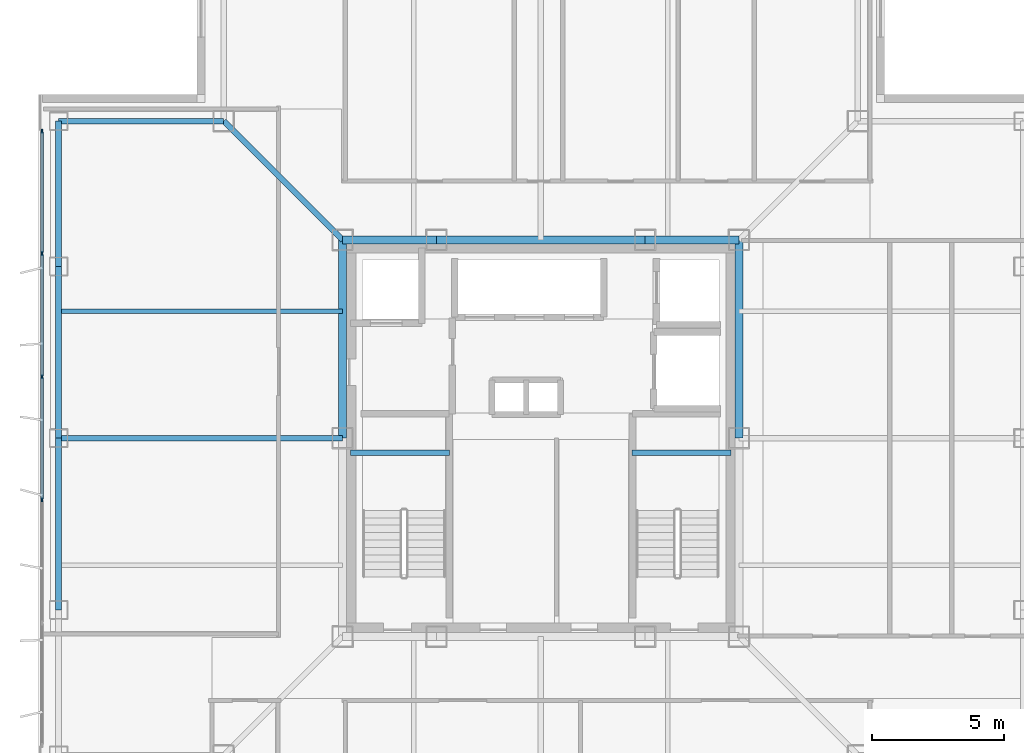
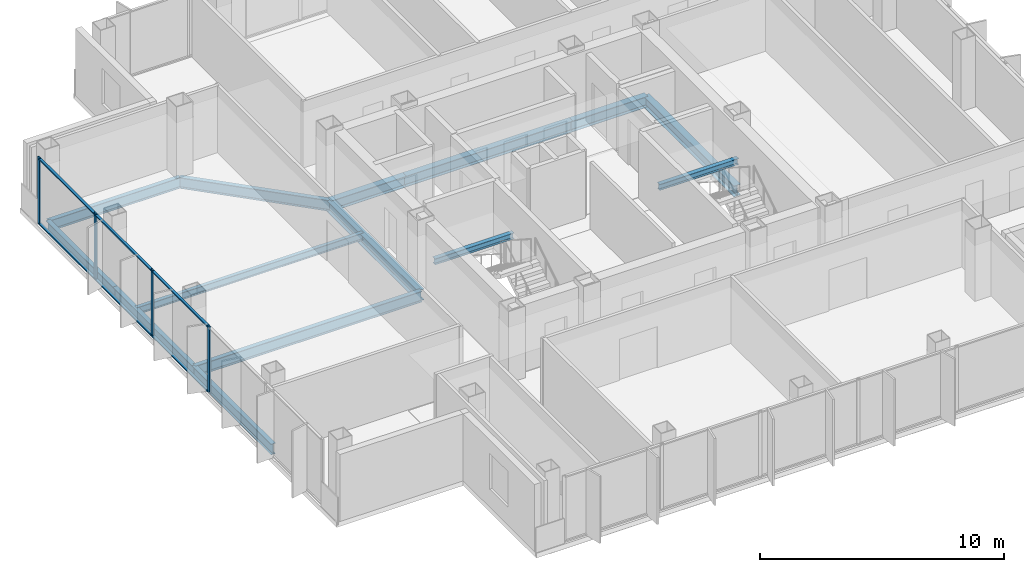
# One storey, part 4 of 15: 14 beams, 10 members, 1 element without a shape of its own.
"""IFC4 building model written with IfcOpenShell, lengths in metres."""

from ifc_helpers import new_model, si_unit, direction, frame, origin, origin_2d, place, context, subcontext, project, spatial, rectangle, i_section, extrude, material, layer, layer_set, material_profile, profile_set, type_object, element, aggregate, save


model = new_model("IFC4")

# Units and contexts
model_context = context("Model", 3, precision=1e-05, world=origin(), true_north=direction((0.0, 1.0)))
body_context = subcontext(model_context, "Body", "Model", "MODEL_VIEW")
ifc_project = project(units=[si_unit("LENGTHUNIT", "METRE"), si_unit("AREAUNIT", "SQUARE_METRE"), si_unit("VOLUMEUNIT", "CUBIC_METRE"), si_unit("PLANEANGLEUNIT", "RADIAN"), si_unit("MASSUNIT", "GRAM", prefix="KILO")], contexts=[model_context])

# Site, building, storey
site_placement = place(None, origin())
site = spatial("IfcSite", under=ifc_project, at=site_placement, CompositionType="ELEMENT")
building_placement = place(site_placement, origin())
building = spatial("IfcBuilding", under=site, at=building_placement, Name="Trevonay Congress Spire", CompositionType="ELEMENT")
storey_placement = place(building_placement, frame((0.0, 0.0, 272.0)))
storey = spatial("IfcBuildingStorey", under=building, at=storey_placement, Name="L71", CompositionType="ELEMENT", Elevation=272.0)

# Beams
ifc_material_1 = material(Name="Steel ASTM A572 Grade 50", Category="steel")
ifc_material_profile_1 = material_profile(ifc_material_1, i_section(OverallWidth=0.2119140625, OverallDepth=0.5439453125, WebThickness=0.01318359375, FlangeThickness=0.021240234375, FilletRadius=0.014892578125, at=origin_2d()), Name="W530x123")
ifc_profile_set_1 = profile_set([ifc_material_profile_1], Name="Steel ASTM A572 Grade 50")
beam_type_1 = type_object("IfcBeamType", Name="BM-GIRD-W530X123", PredefinedType="BEAM", material=ifc_profile_set_1)
beam_1_placement = place(storey_placement, frame((-7.5, 7.5, -0.511962890625), z_axis=(-0.707106781187, 0.707106781187, 0.0), x_axis=(-0.707106781187, -0.707106781187, 0.0)))
element("IfcBeam", 1, at=beam_1_placement, inside=storey, type_object=beam_type_1, Name="L71 structural beam BM-L71-CDNW", PredefinedType="BEAM", context=body_context, shape_type="SweptSolid", body=[
    extrude(i_section(OverallWidth=0.2119140625, OverallDepth=0.5439453125, WebThickness=0.01318359375, FlangeThickness=0.021240234375, FilletRadius=0.014892578125, at=origin_2d()), origin(), (0.0, 0.0, 1.0), 6.364013671875),
])
beam_2_placement = place(storey_placement, frame((-7.5, 0.0, -0.511962890625), z_axis=(-1.0, 0.0, 0.0), x_axis=(0.0, -1.0, 0.0)))
element("IfcBeam", 2, at=beam_2_placement, inside=storey, type_object=beam_type_1, Name="L71 structural beam BM-L71-GC-W", PredefinedType="BEAM", context=body_context, shape_type="SweptSolid", body=[
    extrude(i_section(OverallWidth=0.2119140625, OverallDepth=0.5439453125, WebThickness=0.01318359375, FlangeThickness=0.021240234375, FilletRadius=0.014892578125, at=origin_2d()), origin(), (0.0, 0.0, 1.0), 10.75),
])
ifc_material_profile_2 = material_profile(ifc_material_1, i_section(OverallWidth=0.31201171875, OverallDepth=0.54296875, WebThickness=0.0126953125, FlangeThickness=0.020263671875, FilletRadius=0.014892578125, at=origin_2d()), Name="W530x150")
ifc_profile_set_2 = profile_set([ifc_material_profile_2], Name="Steel ASTM A572 Grade 50")
beam_type_2 = type_object("IfcBeamType", Name="BM-GIRD-W530X150", PredefinedType="BEAM", material=ifc_profile_set_2)
beam_3_placement = place(storey_placement, frame((-7.5, 7.5, -0.511474609375), z_axis=(1.0, 0.0, 0.0), x_axis=(0.0, 1.0, 0.0)))
element("IfcBeam", 3, at=beam_3_placement, inside=storey, type_object=beam_type_2, Name="L71 structural beam BM-L71-CR-N1", PredefinedType="BEAM", context=body_context, shape_type="SweptSolid", body=[
    extrude(i_section(OverallWidth=0.31201171875, OverallDepth=0.54296875, WebThickness=0.0126953125, FlangeThickness=0.020263671875, FilletRadius=0.014892578125, at=origin_2d()), origin(), (0.0, 0.0, 1.0), 3.550048828125),
])
beam_4_placement = place(storey_placement, frame((-3.949951171875, 7.5, -0.511474609375), z_axis=(1.0, 0.0, 0.0), x_axis=(0.0, 1.0, 0.0)))
element("IfcBeam", 4, at=beam_4_placement, inside=storey, type_object=beam_type_2, Name="L71 structural beam BM-L71-CR-N2", PredefinedType="BEAM", context=body_context, shape_type="SweptSolid", body=[
    extrude(i_section(OverallWidth=0.31201171875, OverallDepth=0.54296875, WebThickness=0.0126953125, FlangeThickness=0.020263671875, FilletRadius=0.014892578125, at=origin_2d()), origin(), (0.0, 0.0, 1.0), 7.89990234375),
])
beam_5_placement = place(storey_placement, frame((3.949951171875, 7.5, -0.511474609375), z_axis=(1.0, 0.0, 0.0), x_axis=(0.0, 1.0, 0.0)))
element("IfcBeam", 5, at=beam_5_placement, inside=storey, type_object=beam_type_2, Name="L71 structural beam BM-L71-CR-N3", PredefinedType="BEAM", context=body_context, shape_type="SweptSolid", body=[
    extrude(i_section(OverallWidth=0.31201171875, OverallDepth=0.54296875, WebThickness=0.0126953125, FlangeThickness=0.020263671875, FilletRadius=0.014892578125, at=origin_2d()), origin(), (0.0, 0.0, 1.0), 3.550048828125),
])
for number, where, z_axis, x_axis, name in (
    (6, (-7.5, 0.0, -0.511474609375), (0.0, 1.0, 0.0), (-1.0, 0.0, 0.0), "L71 structural beam BM-L71-CR-W2"),
    (7, (7.5, 0.0, -0.511474609375), (0.0, 1.0, 0.0), (-1.0, 0.0, 0.0), "L71 structural beam BM-L71-CR-E2"),
):
    element("IfcBeam", number, at=place(storey_placement, frame(where, z_axis=z_axis, x_axis=x_axis)), inside=storey, type_object=beam_type_2, Name=name, PredefinedType="BEAM", context=body_context, shape_type="SweptSolid", body=[
        extrude(i_section(OverallWidth=0.31201171875, OverallDepth=0.54296875, WebThickness=0.0126953125, FlangeThickness=0.020263671875, FilletRadius=0.014892578125, at=origin_2d()), origin(), (0.0, 0.0, 1.0), 7.5),
    ])
ifc_material_profile_3 = material_profile(ifc_material_1, i_section(OverallWidth=0.208984375, OverallDepth=0.532958984375, WebThickness=0.01025390625, FlangeThickness=0.015625, FilletRadius=0.014892578125, at=origin_2d()), Name="W530x92")
ifc_profile_set_3 = profile_set([ifc_material_profile_3], Name="Steel ASTM A572 Grade 50")
beam_type_3 = type_object("IfcBeamType", Name="BM-RING-W530X92", PredefinedType="BEAM", material=ifc_profile_set_3)
for number, where, z_axis, x_axis, name in (
    (8, (-18.25, -6.5, -0.506591796875), (0.0, 1.0, 0.0), (-1.0, 0.0, 0.0), "L71 structural beam BM-L71-PW2"),
    (9, (-18.25, 0.0, -0.506591796875), (0.0, 1.0, 0.0), (-1.0, 0.0, 0.0), "L71 structural beam BM-L71-PW3"),
):
    element("IfcBeam", number, at=place(storey_placement, frame(where, z_axis=z_axis, x_axis=x_axis)), inside=storey, type_object=beam_type_3, Name=name, PredefinedType="BEAM", context=body_context, shape_type="SweptSolid", body=[
        extrude(i_section(OverallWidth=0.208984375, OverallDepth=0.532958984375, WebThickness=0.01025390625, FlangeThickness=0.015625, FilletRadius=0.014892578125, at=origin_2d()), origin(), (0.0, 0.0, 1.0), 6.5),
    ])
beam_6_placement = place(storey_placement, frame((-18.25, 6.5, -0.506591796875), z_axis=(0.0, 1.0, 0.0), x_axis=(-1.0, 0.0, 0.0)))
element("IfcBeam", 10, at=beam_6_placement, inside=storey, type_object=beam_type_3, Name="L71 structural beam BM-L71-PW4", PredefinedType="BEAM", context=body_context, shape_type="SweptSolid", body=[
    extrude(i_section(OverallWidth=0.208984375, OverallDepth=0.532958984375, WebThickness=0.01025390625, FlangeThickness=0.015625, FilletRadius=0.014892578125, at=origin_2d()), origin(), (0.0, 0.0, 1.0), 5.5),
])
beam_7_placement = place(storey_placement, frame((-18.25, 12.0, -0.506591796875), z_axis=(1.0, 0.0, 0.0), x_axis=(0.0, 1.0, 0.0)))
element("IfcBeam", 11, at=beam_7_placement, inside=storey, type_object=beam_type_3, Name="L71 structural beam BM-L71-N2NW", PredefinedType="BEAM", context=body_context, shape_type="SweptSolid", body=[
    extrude(i_section(OverallWidth=0.208984375, OverallDepth=0.532958984375, WebThickness=0.01025390625, FlangeThickness=0.015625, FilletRadius=0.014892578125, at=origin_2d()), origin(), (0.0, 0.0, 1.0), 6.25),
])

# Curtain wall, members
ifc_material_2 = material(Name="Pale Anodised Aluminium EN AW-6063-T6", Category="aluminium")
ifc_layer = layer(ifc_material_2, 0.1650390625, Name="Pale Anodised Aluminium EN AW-6063-T6")
ifc_layer_set = layer_set([ifc_layer], Name="Pale Anodised Aluminium EN AW-6063-T6")
curtain_wall_type = type_object("IfcCurtainWallType", Name="CW-SYS05-DIPLOM-PALE-METAL", PredefinedType="NOTDEFINED", material=ifc_layer_set)
curtain_wall_placement = place(storey_placement, origin())
curtain_wall = element("IfcCurtainWall", 12, at=curtain_wall_placement, inside=storey, type_object=curtain_wall_type, Name="L71 W unitised curtain wall", PredefinedType="NOTDEFINED")
ifc_material_profile_4 = material_profile(ifc_material_2, rectangle(XDim=0.06005859375, YDim=0.159912109375, at=origin_2d()), Name="CW-MULLION-160-ALUMINIUM")
ifc_profile_set_4 = profile_set([ifc_material_profile_4], Name="Pale Anodised Aluminium EN AW-6063-T6")
member_type_1 = type_object("IfcMemberType", Name="CW-MULLION-160-ALUMINIUM", PredefinedType="MULLION", material=ifc_profile_set_4)
member_1_placement = place(storey_placement, frame((-18.8798828125, -2.330078125, 0.0), z_axis=(0.0, 0.0, 1.0), x_axis=(-1.0, 0.0, 0.0)))
member_1 = element("IfcMember", 13, at=member_1_placement, type_object=member_type_1, Name="CW05 mullion 3", PredefinedType="MULLION", context=body_context, shape_type="SweptSolid", body=[
    extrude(rectangle(XDim=0.06005859375, YDim=0.159912109375, at=origin_2d()), origin(), (0.0, 0.0, 1.0), 3.360107421875),
])
member_2_placement = place(storey_placement, frame((-18.8798828125, 2.330078125, 0.0), z_axis=(0.0, 0.0, 1.0), x_axis=(-1.0, 0.0, 0.0)))
member_2 = element("IfcMember", 14, at=member_2_placement, type_object=member_type_1, Name="CW05 mullion 4", PredefinedType="MULLION", context=body_context, shape_type="SweptSolid", body=[
    extrude(rectangle(XDim=0.06005859375, YDim=0.159912109375, at=origin_2d()), origin(), (0.0, 0.0, 1.0), 3.360107421875),
])
member_3_placement = place(storey_placement, frame((-18.8798828125, 6.989990234375, 0.0), z_axis=(0.0, 0.0, 1.0), x_axis=(-1.0, 0.0, 0.0)))
member_3 = element("IfcMember", 15, at=member_3_placement, type_object=member_type_1, Name="CW05 mullion 5", PredefinedType="MULLION", context=body_context, shape_type="SweptSolid", body=[
    extrude(rectangle(XDim=0.06005859375, YDim=0.159912109375, at=origin_2d()), origin(), (0.0, 0.0, 1.0), 3.360107421875),
])
member_4_placement = place(storey_placement, frame((-18.8798828125, 11.6201171875, 0.0), z_axis=(0.0, 0.0, 1.0), x_axis=(-1.0, 0.0, 0.0)))
member_4 = element("IfcMember", 16, at=member_4_placement, type_object=member_type_1, Name="CW05 mullion 6", PredefinedType="MULLION", context=body_context, shape_type="SweptSolid", body=[
    extrude(rectangle(XDim=0.06005859375, YDim=0.159912109375, at=origin_2d()), origin(), (0.0, 0.0, 1.0), 3.360107421875),
])
ifc_material_profile_5 = material_profile(ifc_material_2, rectangle(XDim=0.1201171875, YDim=0.06005859375, at=origin_2d()), Name="CW-TRANSOM-120-ALUMINIUM")
ifc_profile_set_5 = profile_set([ifc_material_profile_5], Name="Pale Anodised Aluminium EN AW-6063-T6")
member_type_2 = type_object("IfcMemberType", Name="CW-TRANSOM-120-ALUMINIUM", PredefinedType="USERDEFINED", material=ifc_profile_set_5)
member_5_placement = place(storey_placement, frame((-18.8798828125, -2.300048828125, 0.06005859375), z_axis=(0.0, 1.0, 0.0), x_axis=(-1.0, 0.0, 0.0)))
member_5 = element("IfcMember", 17, at=member_5_placement, type_object=member_type_2, Name="CW05 transom 3.1", ObjectType="TRANSOM", PredefinedType="USERDEFINED", context=body_context, shape_type="SweptSolid", body=[
    extrude(rectangle(XDim=0.1201171875, YDim=0.06005859375, at=origin_2d()), origin(), (0.0, 0.0, 1.0), 4.60009765625),
])
member_6_placement = place(storey_placement, frame((-18.8798828125, -2.300048828125, 3.300048828125), z_axis=(0.0, 1.0, 0.0), x_axis=(-1.0, 0.0, 0.0)))
member_6 = element("IfcMember", 18, at=member_6_placement, type_object=member_type_2, Name="CW05 transom 3.2", ObjectType="TRANSOM", PredefinedType="USERDEFINED", context=body_context, shape_type="SweptSolid", body=[
    extrude(rectangle(XDim=0.1201171875, YDim=0.06005859375, at=origin_2d()), origin(), (0.0, 0.0, 1.0), 4.60009765625),
])
member_7_placement = place(storey_placement, frame((-18.8798828125, 2.360107421875, 0.06005859375), z_axis=(0.0, 1.0, 0.0), x_axis=(-1.0, 0.0, 0.0)))
member_7 = element("IfcMember", 19, at=member_7_placement, type_object=member_type_2, Name="CW05 transom 4.1", ObjectType="TRANSOM", PredefinedType="USERDEFINED", context=body_context, shape_type="SweptSolid", body=[
    extrude(rectangle(XDim=0.1201171875, YDim=0.06005859375, at=origin_2d()), origin(), (0.0, 0.0, 1.0), 4.599853515625),
])
member_8_placement = place(storey_placement, frame((-18.8798828125, 2.360107421875, 3.300048828125), z_axis=(0.0, 1.0, 0.0), x_axis=(-1.0, 0.0, 0.0)))
member_8 = element("IfcMember", 20, at=member_8_placement, type_object=member_type_2, Name="CW05 transom 4.2", ObjectType="TRANSOM", PredefinedType="USERDEFINED", context=body_context, shape_type="SweptSolid", body=[
    extrude(rectangle(XDim=0.1201171875, YDim=0.06005859375, at=origin_2d()), origin(), (0.0, 0.0, 1.0), 4.599853515625),
])
member_9_placement = place(storey_placement, frame((-18.8798828125, 7.02001953125, 0.06005859375), z_axis=(0.0, 1.0, 0.0), x_axis=(-1.0, 0.0, 0.0)))
member_9 = element("IfcMember", 21, at=member_9_placement, type_object=member_type_2, Name="CW05 transom 5.1", ObjectType="TRANSOM", PredefinedType="USERDEFINED", context=body_context, shape_type="SweptSolid", body=[
    extrude(rectangle(XDim=0.1201171875, YDim=0.06005859375, at=origin_2d()), origin(), (0.0, 0.0, 1.0), 4.570068359375),
])
member_10_placement = place(storey_placement, frame((-18.8798828125, 7.02001953125, 3.300048828125), z_axis=(0.0, 1.0, 0.0), x_axis=(-1.0, 0.0, 0.0)))
member_10 = element("IfcMember", 22, at=member_10_placement, type_object=member_type_2, Name="CW05 transom 5.2", ObjectType="TRANSOM", PredefinedType="USERDEFINED", context=body_context, shape_type="SweptSolid", body=[
    extrude(rectangle(XDim=0.1201171875, YDim=0.06005859375, at=origin_2d()), origin(), (0.0, 0.0, 1.0), 4.570068359375),
])
aggregate(curtain_wall, [member_1, member_2, member_3, member_4, member_5, member_6, member_7, member_8, member_9, member_10])

# Beams
ifc_material_profile_6 = material_profile(ifc_material_1, i_section(OverallWidth=0.172119140625, OverallDepth=0.35791015625, WebThickness=0.0078125, FlangeThickness=0.01318359375, FilletRadius=0.011962890625, at=origin_2d()), Name="W360x57.8")
ifc_profile_set_6 = profile_set([ifc_material_profile_6], Name="Steel ASTM A572 Grade 50")
beam_type_4 = type_object("IfcBeamType", Name="JS-COMP-W360X57", PredefinedType="JOIST", material=ifc_profile_set_6)
beam_8_placement = place(storey_placement, frame((-18.25, 4.800048828125, -0.4189453125), z_axis=(1.0, 0.0, 0.0), x_axis=(0.0, 1.0, 0.0)))
element("IfcBeam", 23, at=beam_8_placement, inside=storey, type_object=beam_type_4, Name="L71 structural beam JS-L71-EW-W3", PredefinedType="JOIST", context=body_context, shape_type="SweptSolid", body=[
    extrude(i_section(OverallWidth=0.172119140625, OverallDepth=0.35791015625, WebThickness=0.0078125, FlangeThickness=0.01318359375, FilletRadius=0.011962890625, at=origin_2d()), origin(), (0.0, 0.0, 1.0), 10.75),
])
ifc_material_profile_7 = material_profile(ifc_material_1, i_section(OverallWidth=0.2041015625, OverallDepth=0.305908203125, WebThickness=0.008544921875, FlangeThickness=0.0146484375, FilletRadius=0.010986328125, at=origin_2d()), Name="W310x67")
ifc_profile_set_7 = profile_set([ifc_material_profile_7], Name="Steel ASTM A572 Grade 50")
beam_type_5 = type_object("IfcBeamType", Name="LN-CORE-W310X67", PredefinedType="LINTEL", material=ifc_profile_set_7)
for number, where, z_axis, x_axis, name in (
    (24, (-7.199951171875, -0.550048828125, 1.447021484375), (1.0, 0.0, 0.0), (0.0, 1.0, 0.0), "L71 structural beam BM-L71-HL-ST1"),
    (25, (3.449951171875, -0.550048828125, 1.447021484375), (1.0, 0.0, 0.0), (0.0, 1.0, 0.0), "L71 structural beam BM-L71-HL-ST2"),
):
    element("IfcBeam", number, at=place(storey_placement, frame(where, z_axis=z_axis, x_axis=x_axis)), inside=storey, type_object=beam_type_5, Name=name, PredefinedType="LINTEL", context=body_context, shape_type="SweptSolid", body=[
        extrude(i_section(OverallWidth=0.2041015625, OverallDepth=0.305908203125, WebThickness=0.008544921875, FlangeThickness=0.0146484375, FilletRadius=0.010986328125, at=origin_2d()), origin(), (0.0, 0.0, 1.0), 3.75),
    ])

save(model, "model.ifc")
